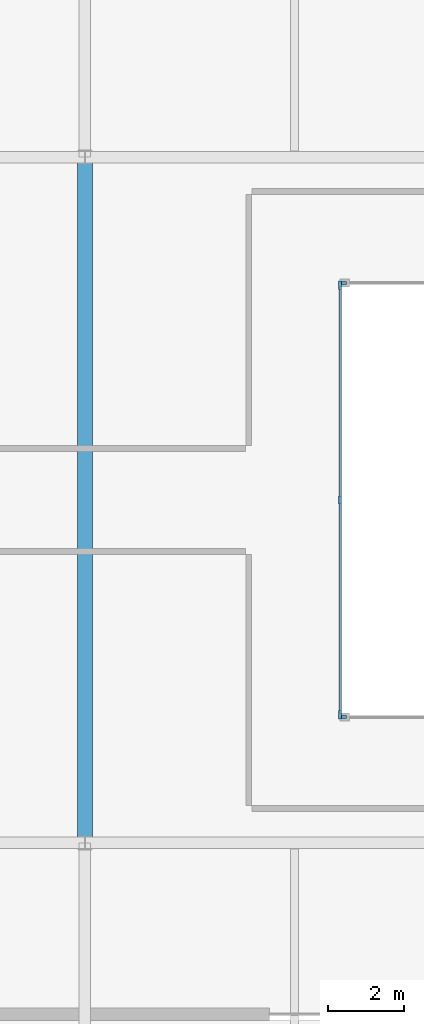
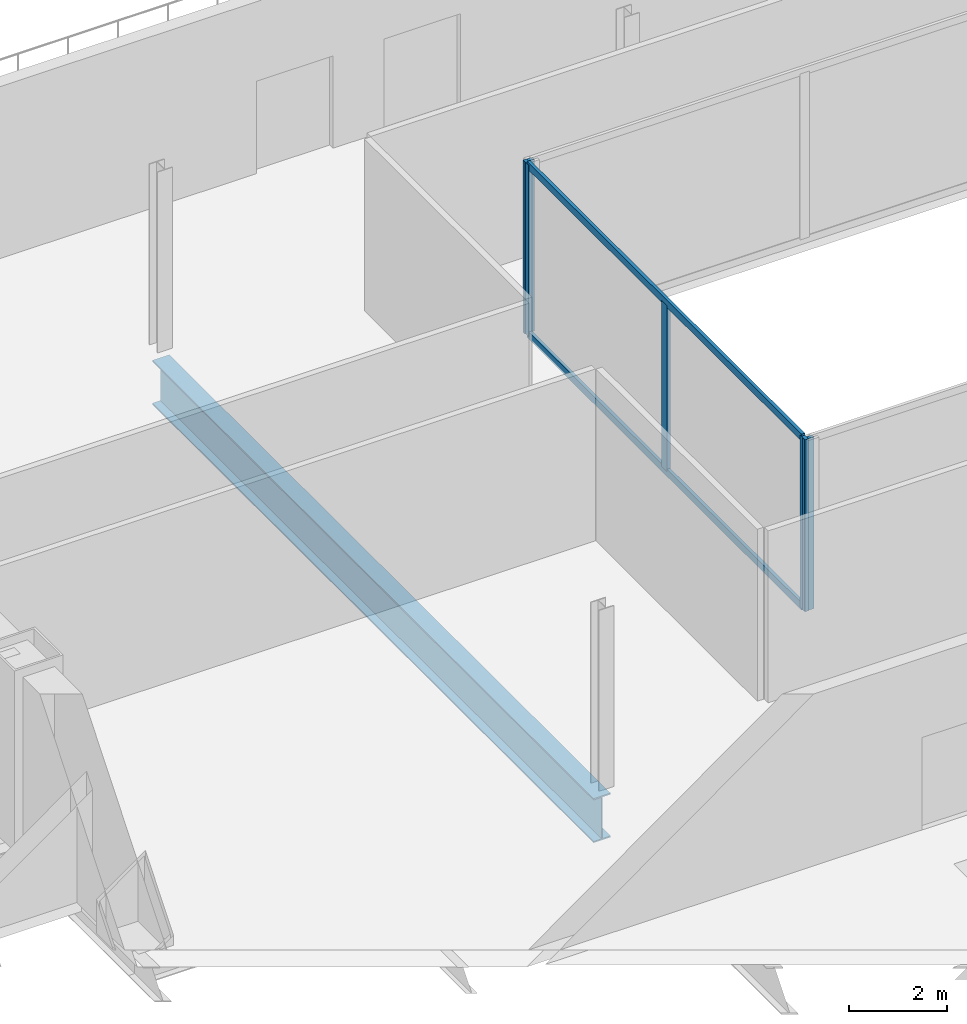
# One storey, part 10 of 23: 7 members, 1 beam, 3 elements without a shape of their own.
"""IFC4 building model written with IfcOpenShell, lengths in metres."""

from ifc_helpers import new_model, si_unit, direction, frame, origin, origin_2d, place, context, subcontext, project, spatial, rectangle, i_section, extrude, source, transform, mapped, material, layer, layer_set, material_profile, profile_set, type_object, type_shapes, element, aggregate, save


model = new_model("IFC4")

# Units and contexts
model_context = context("Model", 3, precision=1e-05, world=origin(), true_north=direction((0.0, 1.0)))
body_context = subcontext(model_context, "Body", "Model", "MODEL_VIEW")
ifc_project = project(units=[si_unit("LENGTHUNIT", "METRE"), si_unit("AREAUNIT", "SQUARE_METRE"), si_unit("VOLUMEUNIT", "CUBIC_METRE"), si_unit("PLANEANGLEUNIT", "RADIAN"), si_unit("MASSUNIT", "GRAM", prefix="KILO")], contexts=[model_context])

# Site, building, storey
site_placement = place(None, origin())
site = spatial("IfcSite", under=ifc_project, at=site_placement, CompositionType="ELEMENT")
building_placement = place(site_placement, origin())
building = spatial("IfcBuilding", under=site, at=building_placement, Name="Seokmaru Belvedere", CompositionType="ELEMENT")
storey_placement = place(building_placement, frame((0.0, 0.0, 14.39990234375)))
storey = spatial("IfcBuildingStorey", under=building, at=storey_placement, Name="L03", CompositionType="ELEMENT", Elevation=14.39990234375)

# Beam
ifc_material_1 = material(Name="Steel SM355 (355 MPa)", Category="steel")
ifc_material_profile_1 = material_profile(ifc_material_1, i_section(OverallWidth=0.39990234375, OverallDepth=1.10009765625, WebThickness=0.02001953125, FlangeThickness=0.033935546875, at=origin_2d()), Name="BH-1100x400x20x34")
ifc_profile_set_1 = profile_set([ifc_material_profile_1], Name="Steel SM355 (355 MPa)")
beam_type = type_object("IfcBeamType", Name="Sky-Gate Transverse Girder BH-1100", PredefinedType="BEAM", material=ifc_profile_set_1)
shared_shape_1 = source(origin(), body_context, "Body", "SweptSolid", [
    extrude(i_section(OverallWidth=0.39990234375, OverallDepth=1.10009765625, WebThickness=0.02001953125, FlangeThickness=0.033935546875, at=origin_2d()), origin(), (0.0, 0.0, 1.0), 18.0),
])
type_shapes(beam_type, [shared_shape_1])
beam_placement = place(storey_placement, frame((-16.5, -9.0, -0.829833984375), z_axis=(0.0, 1.0, 0.0), x_axis=(-1.0, 0.0, 0.0)))
element("IfcBeam", 1, at=beam_placement, inside=storey, type_object=beam_type, Name="L03 Central Podium Transverse Girder 1-2", PredefinedType="BEAM", context=body_context, shape_type="MappedRepresentation", body=[
    mapped(shared_shape_1, transform((0.0, 0.0, 0.0), scale=1.0)),
])

# Curtain wall, member
ifc_material_2 = material(Name="Bronze Triple Insulating Glass", Category="glass")
ifc_layer = layer(ifc_material_2, 0.219970703125)
ifc_layer_set = layer_set([ifc_layer], Name="Bronze Triple Insulating Glass")
curtain_wall_type = type_object("IfcCurtainWallType", Name="Podium Concourse Curtain Wall System CW-1", PredefinedType="NOTDEFINED", material=ifc_layer_set)
curtain_wall_1_placement = place(storey_placement, origin())
curtain_wall_1 = element("IfcCurtainWall", 2, at=curtain_wall_1_placement, inside=storey, type_object=curtain_wall_type, Name="L03 Curtain Wall AT_S", PredefinedType="NOTDEFINED")
ifc_material_3 = material(Name="Anodised Bronze Aluminium", Category="aluminium")
ifc_material_profile_2 = material_profile(ifc_material_3, rectangle(XDim=0.080078125, YDim=0.219970703125, at=origin_2d()), Name="CW-M-80x220")
ifc_profile_set_2 = profile_set([ifc_material_profile_2], Name="Anodised Bronze Aluminium")
member_type_1 = type_object("IfcMemberType", Name="Bronze Unitised Mullion 80x220", PredefinedType="MULLION", material=ifc_profile_set_2)
shared_shape_2 = source(origin(), body_context, "Body", "SweptSolid", [
    extrude(rectangle(XDim=0.080078125, YDim=0.219970703125, at=origin_2d()), origin(), (0.0, 0.0, 1.0), 4.280029296875),
])
member_1_placement = place(storey_placement, frame((-9.739990234375, -5.699951171875, 0.0), z_axis=(0.0, 0.0, 1.0), x_axis=(0.0, 1.0, 0.0)))
member_1 = element("IfcMember", 3, at=member_1_placement, type_object=member_type_1, Name="CW:L03:AT_S Mullion 1", PredefinedType="MULLION", context=body_context, shape_type="MappedRepresentation", body=[
    mapped(shared_shape_2, transform((0.0, 0.0, 0.0), scale=1.0)),
])
aggregate(curtain_wall_1, [member_1])

curtain_wall_2_placement = place(storey_placement, origin())
curtain_wall_2 = element("IfcCurtainWall", 4, at=curtain_wall_2_placement, inside=storey, type_object=curtain_wall_type, Name="L03 Curtain Wall AT_N", PredefinedType="NOTDEFINED")
member_2_placement = place(storey_placement, frame((-9.739990234375, 5.699951171875, 0.0), z_axis=(0.0, 0.0, 1.0), x_axis=(0.0, -1.0, 0.0)))
member_2 = element("IfcMember", 5, at=member_2_placement, type_object=member_type_1, Name="CW:L03:AT_N Mullion 4", PredefinedType="MULLION", context=body_context, shape_type="MappedRepresentation", body=[
    mapped(shared_shape_2, transform((0.0, 0.0, 0.0), scale=1.0)),
])
aggregate(curtain_wall_2, [member_2])

# Curtain wall, members
curtain_wall_3_placement = place(storey_placement, origin())
curtain_wall_3 = element("IfcCurtainWall", 6, at=curtain_wall_3_placement, inside=storey, type_object=curtain_wall_type, Name="L03 Curtain Wall AT_W", PredefinedType="NOTDEFINED")
member_3_placement = place(storey_placement, frame((-9.800048828125, 5.639892578125, 0.0), z_axis=(0.0, 0.0, 1.0), x_axis=(1.0, 0.0, 0.0)))
member_3 = element("IfcMember", 7, at=member_3_placement, type_object=member_type_1, Name="CW:L03:AT_W Mullion 1", PredefinedType="MULLION", context=body_context, shape_type="MappedRepresentation", body=[
    mapped(shared_shape_2, transform((0.0, 0.0, 0.0), scale=1.0)),
])
member_4_placement = place(storey_placement, frame((-9.800048828125, -5.639892578125, 0.0), z_axis=(0.0, 0.0, 1.0), x_axis=(1.0, 0.0, 0.0)))
member_4 = element("IfcMember", 8, at=member_4_placement, type_object=member_type_1, Name="CW:L03:AT_W Mullion 3", PredefinedType="MULLION", context=body_context, shape_type="MappedRepresentation", body=[
    mapped(shared_shape_2, transform((0.0, 0.0, 0.0), scale=1.0)),
])
shared_shape_3 = source(origin(), body_context, "Body", "SweptSolid", [
    extrude(rectangle(XDim=0.080078125, YDim=0.219970703125, at=origin_2d()), origin(), (0.0, 0.0, 1.0), 4.1298828125),
])
type_shapes(member_type_1, [shared_shape_2, shared_shape_3])
member_5_placement = place(storey_placement, frame((-9.800048828125, 0.0, 0.0751953125), z_axis=(0.0, 0.0, 1.0), x_axis=(1.0, 0.0, 0.0)))
member_5 = element("IfcMember", 9, at=member_5_placement, type_object=member_type_1, Name="CW:L03:AT_W Mullion 2", PredefinedType="MULLION", context=body_context, shape_type="MappedRepresentation", body=[
    mapped(shared_shape_3, transform((0.0, 0.0, 0.0), scale=1.0)),
])
ifc_material_profile_3 = material_profile(ifc_material_3, rectangle(XDim=0.074951171875, YDim=0.179931640625, at=origin_2d()), Name="CW-T-75x180")
ifc_profile_set_3 = profile_set([ifc_material_profile_3], Name="Anodised Bronze Aluminium")
member_type_2 = type_object("IfcMemberType", Name="Bronze Unitised Transom 75x180", PredefinedType="USERDEFINED", material=ifc_profile_set_3)
shared_shape_4 = source(origin(), body_context, "Body", "SweptSolid", [
    extrude(rectangle(XDim=0.074951171875, YDim=0.179931640625, at=origin_2d()), origin(), (0.0, 0.0, 1.0), 11.2001953125),
])
type_shapes(member_type_2, [shared_shape_4])
member_6_placement = place(storey_placement, frame((-9.800048828125, 5.60009765625, 0.03759765625), z_axis=(0.0, -1.0, 0.0), x_axis=(1.0, 0.0, 0.0)))
member_6 = element("IfcMember", 10, at=member_6_placement, type_object=member_type_2, Name="CW:L03:AT_W Continuous Transom 1", ObjectType="TRANSOM", PredefinedType="USERDEFINED", context=body_context, shape_type="MappedRepresentation", body=[
    mapped(shared_shape_4, transform((0.0, 0.0, 0.0), scale=1.0)),
])
member_7_placement = place(storey_placement, frame((-9.800048828125, 5.60009765625, 4.24267578125), z_axis=(0.0, -1.0, 0.0), x_axis=(1.0, 0.0, 0.0)))
member_7 = element("IfcMember", 11, at=member_7_placement, type_object=member_type_2, Name="CW:L03:AT_W Continuous Transom 2", ObjectType="TRANSOM", PredefinedType="USERDEFINED", context=body_context, shape_type="MappedRepresentation", body=[
    mapped(shared_shape_4, transform((0.0, 0.0, 0.0), scale=1.0)),
])
aggregate(curtain_wall_3, [member_3, member_5, member_4, member_6, member_7])

save(model, "model.ifc")
